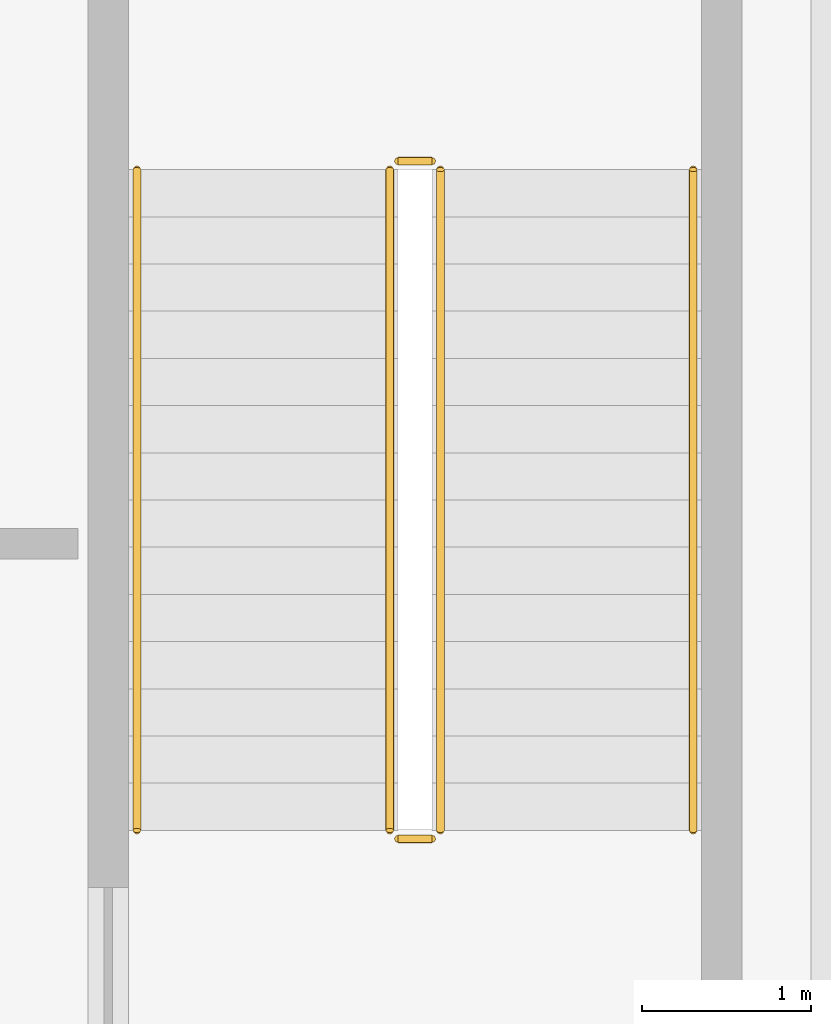
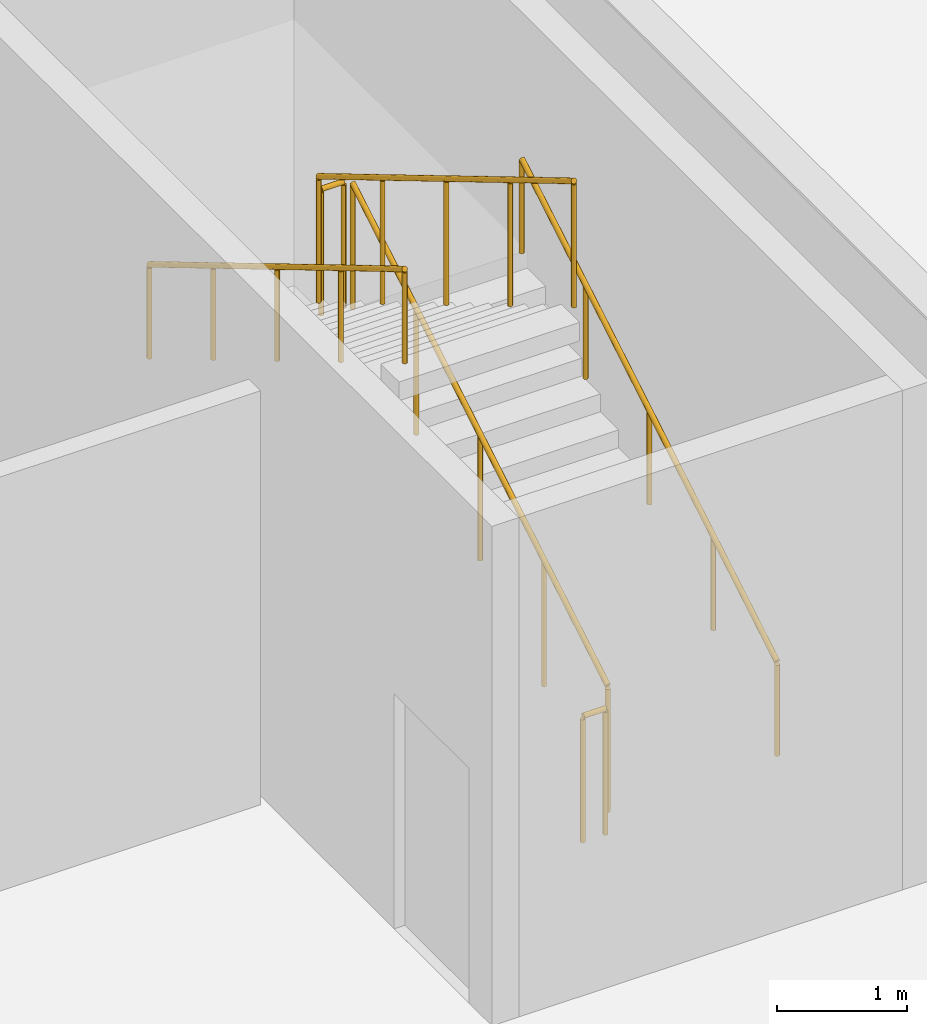
# One storey, part 35 of 35: 6 railings.
"""IFC4 building model written with IfcOpenShell, lengths in metres."""

from ifc_helpers import new_model, si_unit, direction, frame, origin, origin_2d, place, context, subcontext, project, spatial, circle, extrude, material, type_object, element, save


model = new_model("IFC4")

# Units and contexts
model_context = context("Model", 3, precision=1e-05, world=origin(), true_north=direction((0.0, 1.0)))
body_context = subcontext(model_context, "Body", "Model", "MODEL_VIEW")
ifc_project = project(units=[si_unit("LENGTHUNIT", "METRE"), si_unit("AREAUNIT", "SQUARE_METRE"), si_unit("VOLUMEUNIT", "CUBIC_METRE"), si_unit("PLANEANGLEUNIT", "RADIAN"), si_unit("MASSUNIT", "GRAM", prefix="KILO")], contexts=[model_context])

# Site, building, storey
site_placement = place(None, origin())
site = spatial("IfcSite", under=ifc_project, at=site_placement, CompositionType="ELEMENT")
building_placement = place(site_placement, origin())
building = spatial("IfcBuilding", under=site, at=building_placement, Name="Calvorn Quay Hotel", CompositionType="ELEMENT")
storey_placement = place(building_placement, frame((0.0, 0.0, 12.0)))
storey = spatial("IfcBuildingStorey", under=building, at=storey_placement, Name="L02", CompositionType="ELEMENT", Elevation=12.0)

# Railings
ifc_material_1 = material(Name="Brushed Stainless Steel Handrail", Category="steel")
railing_type_1 = type_object("IfcRailingType", Name="RLG-HANDRAIL-900", PredefinedType="HANDRAIL", material=ifc_material_1)
railing_1_placement = place(storey_placement, frame((56.75, 45.800048828125, 0.166748046875)))
element("IfcRailing", 1, at=railing_1_placement, inside=storey, type_object=railing_type_1, Name="L02 ST-P1 stair handrail 1", PredefinedType="HANDRAIL", context=body_context, shape_type="SweptSolid", body=[
    extrude(circle(Radius=0.02392578125, at=origin_2d()), frame((0.0, 0.0, 0.8759765625), z_axis=(0.0, 0.859296244711, 0.511478214419), x_axis=(-1.0, 0.0, 0.0)), (0.0, 0.0, 1.0), 4.561767578125),
    extrude(circle(Radius=0.02099609375, at=origin_2d()), origin(), (0.0, 0.0, 1.0), 0.851806640625),
    extrude(circle(Radius=0.02099609375, at=origin_2d()), frame((0.0, 0.97998046875, 0.583251953125)), (0.0, 0.0, 1.0), 0.851806640625),
    extrude(circle(Radius=0.02099609375, at=origin_2d()), frame((0.0, 1.9599609375, 1.16650390625)), (0.0, 0.0, 1.0), 0.851806640625),
    extrude(circle(Radius=0.02099609375, at=origin_2d()), frame((0.0, 2.93994140625, 1.75)), (0.0, 0.0, 1.0), 0.851806640625),
    extrude(circle(Radius=0.02099609375, at=origin_2d()), frame((0.0, 3.919921875, 2.333251953125)), (0.0, 0.0, 1.0), 0.851806640625),
])
railing_2_placement = place(storey_placement, frame((53.449951171875, 49.719970703125, 2.666748046875)))
element("IfcRailing", 2, at=railing_2_placement, inside=storey, type_object=railing_type_1, Name="L02 ST-P1 stair handrail 2", PredefinedType="HANDRAIL", context=body_context, shape_type="SweptSolid", body=[
    extrude(circle(Radius=0.02392578125, at=origin_2d()), frame((0.0, 0.0, 0.8759765625), z_axis=(0.0, -0.859296244711, 0.511478214419), x_axis=(1.0, 0.0, 0.0)), (0.0, 0.0, 1.0), 4.561767578125),
    extrude(circle(Radius=0.02099609375, at=origin_2d()), origin(), (0.0, 0.0, 1.0), 0.851806640625),
    extrude(circle(Radius=0.02099609375, at=origin_2d()), frame((0.0, -0.97998046875, 0.583251953125)), (0.0, 0.0, 1.0), 0.851806640625),
    extrude(circle(Radius=0.02099609375, at=origin_2d()), frame((0.0, -1.9599609375, 1.16650390625)), (0.0, 0.0, 1.0), 0.851806640625),
    extrude(circle(Radius=0.02099609375, at=origin_2d()), frame((0.0, -2.93994140625, 1.75)), (0.0, 0.0, 1.0), 0.851806640625),
    extrude(circle(Radius=0.02099609375, at=origin_2d()), frame((0.0, -3.919921875, 2.333251953125)), (0.0, 0.0, 1.0), 0.851806640625),
])
ifc_material_2 = material(Name="Painted Galvanised Steel Balustrade", Category="steel")
railing_type_2 = type_object("IfcRailingType", Name="RLG-STAIR-GUARD-1120", PredefinedType="GUARDRAIL", material=ifc_material_2)
railing_3_placement = place(storey_placement, frame((55.25, 45.800048828125, 0.166748046875)))
element("IfcRailing", 3, at=railing_3_placement, inside=storey, type_object=railing_type_2, Name="L02 ST-P1 stair guard 1", PredefinedType="GUARDRAIL", context=body_context, shape_type="SweptSolid", body=[
    extrude(circle(Radius=0.02392578125, at=origin_2d()), frame((0.0, 0.0, 1.17578125), z_axis=(0.0, 0.859296244711, 0.511478214419), x_axis=(-1.0, 0.0, 0.0)), (0.0, 0.0, 1.0), 4.561767578125),
    extrude(circle(Radius=0.02099609375, at=origin_2d()), origin(), (0.0, 0.0, 1.0), 1.15185546875),
    extrude(circle(Radius=0.02099609375, at=origin_2d()), frame((0.0, 0.97998046875, 0.583251953125)), (0.0, 0.0, 1.0), 1.15185546875),
    extrude(circle(Radius=0.02099609375, at=origin_2d()), frame((0.0, 1.9599609375, 1.16650390625)), (0.0, 0.0, 1.0), 1.15185546875),
    extrude(circle(Radius=0.02099609375, at=origin_2d()), frame((0.0, 2.93994140625, 1.75)), (0.0, 0.0, 1.0), 1.15185546875),
    extrude(circle(Radius=0.02099609375, at=origin_2d()), frame((0.0, 3.919921875, 2.333251953125)), (0.0, 0.0, 1.0), 1.15185546875),
])
railing_4_placement = place(storey_placement, frame((55.199951171875, 49.77001953125, 2.5)))
element("IfcRailing", 4, at=railing_4_placement, inside=storey, type_object=railing_type_2, Name="L02 ST-P1 stair guard 2", PredefinedType="GUARDRAIL", context=body_context, shape_type="SweptSolid", body=[
    extrude(circle(Radius=0.02392578125, at=origin_2d()), frame((0.0, 0.0, 1.17578125), z_axis=(-1.0, 0.0, 0.0), x_axis=(0.0, -1.0, 0.0)), (0.0, 0.0, 1.0), 0.199951171875),
    extrude(circle(Radius=0.02099609375, at=origin_2d()), origin(), (0.0, 0.0, 1.0), 1.15185546875),
    extrude(circle(Radius=0.02099609375, at=origin_2d()), frame((-0.199951171875, 0.0, 0.0)), (0.0, 0.0, 1.0), 1.15185546875),
])
railing_5_placement = place(storey_placement, frame((54.949951171875, 49.719970703125, 2.666748046875)))
element("IfcRailing", 5, at=railing_5_placement, inside=storey, type_object=railing_type_2, Name="L02 ST-P1 stair guard 3", PredefinedType="GUARDRAIL", context=body_context, shape_type="SweptSolid", body=[
    extrude(circle(Radius=0.02392578125, at=origin_2d()), frame((0.0, 0.0, 1.17578125), z_axis=(0.0, -0.859296244711, 0.511478214419), x_axis=(1.0, 0.0, 0.0)), (0.0, 0.0, 1.0), 4.561767578125),
    extrude(circle(Radius=0.02099609375, at=origin_2d()), origin(), (0.0, 0.0, 1.0), 1.15185546875),
    extrude(circle(Radius=0.02099609375, at=origin_2d()), frame((0.0, -0.97998046875, 0.583251953125)), (0.0, 0.0, 1.0), 1.15185546875),
    extrude(circle(Radius=0.02099609375, at=origin_2d()), frame((0.0, -1.9599609375, 1.16650390625)), (0.0, 0.0, 1.0), 1.15185546875),
    extrude(circle(Radius=0.02099609375, at=origin_2d()), frame((0.0, -2.93994140625, 1.75)), (0.0, 0.0, 1.0), 1.15185546875),
    extrude(circle(Radius=0.02099609375, at=origin_2d()), frame((0.0, -3.919921875, 2.333251953125)), (0.0, 0.0, 1.0), 1.15185546875),
])
railing_6_placement = place(storey_placement, frame((55.199951171875, 45.75, 0.0)))
element("IfcRailing", 6, at=railing_6_placement, inside=storey, type_object=railing_type_2, Name="L02 ST-P1 stair guard 4", PredefinedType="GUARDRAIL", context=body_context, shape_type="SweptSolid", body=[
    extrude(circle(Radius=0.02392578125, at=origin_2d()), frame((0.0, 0.0, 1.17578125), z_axis=(-1.0, 0.0, 0.0), x_axis=(0.0, -1.0, 0.0)), (0.0, 0.0, 1.0), 0.199951171875),
    extrude(circle(Radius=0.02099609375, at=origin_2d()), origin(), (0.0, 0.0, 1.0), 1.15185546875),
    extrude(circle(Radius=0.02099609375, at=origin_2d()), frame((-0.199951171875, 0.0, 0.0)), (0.0, 0.0, 1.0), 1.15185546875),
])

save(model, "model.ifc")
